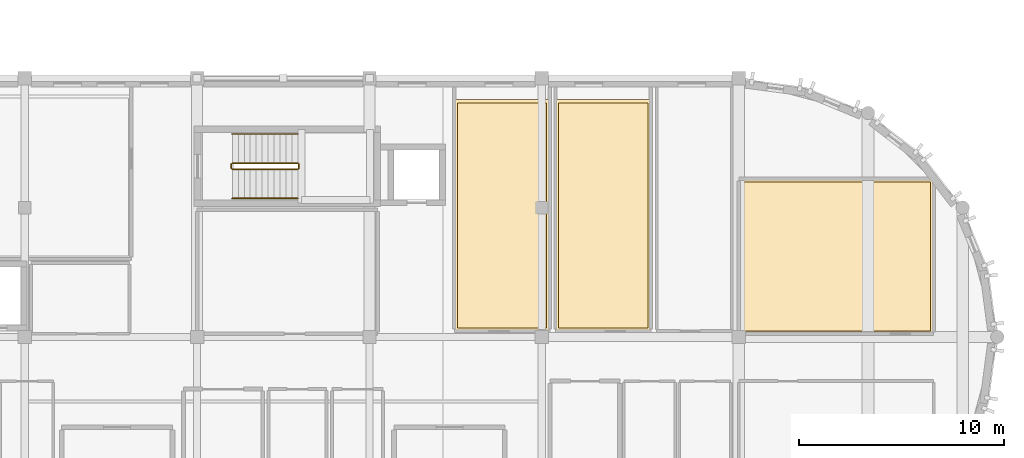
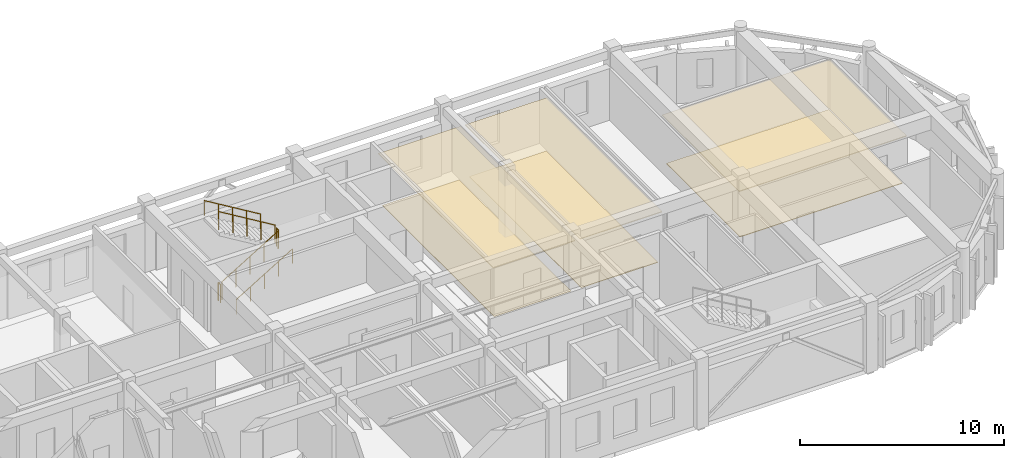
# One storey, part 28 of 29: 6 coverings, 6 railings.
"""IFC4 building model written with IfcOpenShell, lengths in metres."""

from ifc_helpers import new_model, si_unit, direction, frame, origin, origin_2d, place, context, subcontext, project, spatial, polyline, circle, outline, extrude, material, layer, layer_set, type_object, element, save


model = new_model("IFC4")

# Units and contexts
model_context = context("Model", 3, precision=1e-05, world=origin(), true_north=direction((0.0, 1.0)))
body_context = subcontext(model_context, "Body", "Model", "MODEL_VIEW")
ifc_project = project(units=[si_unit("LENGTHUNIT", "METRE"), si_unit("AREAUNIT", "SQUARE_METRE"), si_unit("VOLUMEUNIT", "CUBIC_METRE"), si_unit("PLANEANGLEUNIT", "RADIAN"), si_unit("MASSUNIT", "GRAM", prefix="KILO")], contexts=[model_context])

# Site, building, storey
site_placement = place(None, origin())
site = spatial("IfcSite", under=ifc_project, at=site_placement, CompositionType="ELEMENT")
building_placement = place(site_placement, origin())
building = spatial("IfcBuilding", under=site, at=building_placement, Name="Tarnavel Promenade Courthouse", CompositionType="ELEMENT")
storey_placement = place(building_placement, frame((0.0, 0.0, 22.800048828125)))
storey = spatial("IfcBuildingStorey", under=building, at=storey_placement, Name="L06", CompositionType="ELEMENT", Elevation=22.800048828125)

# Railings
ifc_material_1 = material(Name="Brushed Bronze Tubular Stair Handrail")
railing_type_1 = type_object("IfcRailingType", Name="Brushed Bronze Tubular Stair Handrail (RL-HND-0900)", PredefinedType="HANDRAIL", material=ifc_material_1)
railing_1_placement = place(storey_placement, frame((77.320068359375, 98.550048828125, 0.175048828125)))
element("IfcRailing", 1, at=railing_1_placement, inside=storey, type_object=railing_type_1, Name="L06 ST-03 stair handrail 1", PredefinedType="HANDRAIL", context=body_context, shape_type="SweptSolid", body=[
    extrude(circle(Radius=0.02392578125, at=origin_2d()), frame((0.0, 0.0, 0.8759765625), z_axis=(0.856206652436, 0.0, 0.516633495163), x_axis=(0.0, 1.0, 0.0)), (0.0, 0.0, 1.0), 3.7255859375),
    extrude(circle(Radius=0.02099609375, at=origin_2d()), origin(), (0.0, 0.0, 1.0), 0.851806640625),
    extrude(circle(Radius=0.02099609375, at=origin_2d()), frame((0.79736328125, 0.0, 0.481201171875)), (0.0, 0.0, 1.0), 0.851806640625),
    extrude(circle(Radius=0.02099609375, at=origin_2d()), frame((1.594970703125, 0.0, 0.96240234375)), (0.0, 0.0, 1.0), 0.851806640625),
    extrude(circle(Radius=0.02099609375, at=origin_2d()), frame((2.392578125, 0.0, 1.443603515625)), (0.0, 0.0, 1.0), 0.851806640625),
    extrude(circle(Radius=0.02099609375, at=origin_2d()), frame((3.18994140625, 0.0, 1.9248046875)), (0.0, 0.0, 1.0), 0.851806640625),
])
railing_2_placement = place(storey_placement, frame((80.510009765625, 101.68994140625, 2.27490234375)))
element("IfcRailing", 2, at=railing_2_placement, inside=storey, type_object=railing_type_1, Name="L06 ST-03 stair handrail 2", PredefinedType="HANDRAIL", context=body_context, shape_type="SweptSolid", body=[
    extrude(circle(Radius=0.02392578125, at=origin_2d()), frame((0.0, 0.0, 0.8759765625), z_axis=(-0.856177665481, 0.0, 0.516681531633), x_axis=(0.0, -1.0, 0.0)), (0.0, 0.0, 1.0), 3.725830078125),
    extrude(circle(Radius=0.02099609375, at=origin_2d()), origin(), (0.0, 0.0, 1.0), 0.851806640625),
    extrude(circle(Radius=0.02099609375, at=origin_2d()), frame((-0.79736328125, 0.0, 0.481201171875)), (0.0, 0.0, 1.0), 0.851806640625),
    extrude(circle(Radius=0.02099609375, at=origin_2d()), frame((-1.594970703125, 0.0, 0.96240234375)), (0.0, 0.0, 1.0), 0.851806640625),
    extrude(circle(Radius=0.02099609375, at=origin_2d()), frame((-2.392578125, 0.0, 1.44384765625)), (0.0, 0.0, 1.0), 0.851806640625),
    extrude(circle(Radius=0.02099609375, at=origin_2d()), frame((-3.18994140625, 0.0, 1.925048828125)), (0.0, 0.0, 1.0), 0.851806640625),
])

# Coverings
ifc_material_2 = material(Name="Engineered Smoked Oak Courtroom & Chambers Parquet")
ifc_layer_1 = layer(ifc_material_2, 0.031982421875)
ifc_layer_set_1 = layer_set([ifc_layer_1], Name="Engineered Smoked Oak Courtroom & Chambers Parquet")
covering_type_1 = type_object("IfcCoveringType", Name="Engineered Smoked Oak Courtroom & Chambers Parquet (COV-FLR-OAK-32)", PredefinedType="FLOORING", material=ifc_layer_set_1)
covering_1_placement = place(storey_placement, origin())
element("IfcCovering", 3, at=covering_1_placement, inside=storey, type_object=covering_type_1, Name="L06 Judges' Chambers L06 Suite B Architectural Flooring 0044", PredefinedType="FLOORING", context=body_context, shape_type="SweptSolid", body=[
    extrude(outline(polyline([(88.2900390625, 92.239990234375), (92.638916015625, 92.239990234375), (92.638916015625, 103.2099609375), (88.2900390625, 103.2099609375), (88.2900390625, 92.239990234375)])), origin(), (0.0, 0.0, 1.0), 0.031982421875),
])
covering_2_placement = place(storey_placement, origin())
element("IfcCovering", 4, at=covering_2_placement, inside=storey, type_object=covering_type_1, Name="L06 Judges' Chambers L06 Suite C Architectural Flooring 0045", PredefinedType="FLOORING", context=body_context, shape_type="SweptSolid", body=[
    extrude(outline(polyline([(93.218994140625, 92.239990234375), (97.568115234375, 92.239990234375), (97.568115234375, 103.2099609375), (93.218994140625, 103.2099609375), (93.218994140625, 92.239990234375)])), origin(), (0.0, 0.0, 1.0), 0.031982421875),
])
covering_3_placement = place(storey_placement, origin())
element("IfcCovering", 5, at=covering_3_placement, inside=storey, type_object=covering_type_1, Name="L06 L06 East Drum Rotunda Chambers North Architectural Flooring 0047", PredefinedType="FLOORING", context=body_context, shape_type="SweptSolid", body=[
    extrude(outline(polyline([(102.14990234375, 92.10009765625), (111.35009765625, 92.10009765625), (111.35009765625, 99.35009765625), (102.14990234375, 99.35009765625), (102.14990234375, 92.10009765625)])), origin(), (0.0, 0.0, 1.0), 0.031982421875),
])
ifc_material_3 = material(Name="Micro-Perforated Acoustic Mineral-Fibre Ceiling")
ifc_layer_2 = layer(ifc_material_3, 0.044921875)
ifc_layer_set_2 = layer_set([ifc_layer_2], Name="Micro-Perforated Acoustic Mineral-Fibre Ceiling")
covering_type_2 = type_object("IfcCoveringType", Name="Micro-Perforated Acoustic Mineral-Fibre Ceiling (COV-CLG-MIN-45)", PredefinedType="CEILING", material=ifc_layer_set_2)
covering_4_placement = place(storey_placement, frame((0.0, 0.0, 3.054931640625)))
element("IfcCovering", 6, at=covering_4_placement, inside=storey, type_object=covering_type_2, Name="L06 Judges' Chambers L06 Suite B Acoustic Ceiling 0044", PredefinedType="CEILING", context=body_context, shape_type="SweptSolid", body=[
    extrude(outline(polyline([(88.139892578125, 92.090087890625), (92.7890625, 92.090087890625), (92.7890625, 103.360107421875), (88.139892578125, 103.360107421875), (88.139892578125, 92.090087890625)])), origin(), (0.0, 0.0, 1.0), 0.044921875),
])
covering_5_placement = place(storey_placement, frame((0.0, 0.0, 3.054931640625)))
element("IfcCovering", 7, at=covering_5_placement, inside=storey, type_object=covering_type_2, Name="L06 Judges' Chambers L06 Suite C Acoustic Ceiling 0045", PredefinedType="CEILING", context=body_context, shape_type="SweptSolid", body=[
    extrude(outline(polyline([(93.069091796875, 92.090087890625), (97.718017578125, 92.090087890625), (97.718017578125, 103.360107421875), (93.069091796875, 103.360107421875), (93.069091796875, 92.090087890625)])), origin(), (0.0, 0.0, 1.0), 0.044921875),
])
covering_6_placement = place(storey_placement, frame((0.0, 0.0, 2.85498046875)))
element("IfcCovering", 8, at=covering_6_placement, inside=storey, type_object=covering_type_2, Name="L06 L06 East Drum Rotunda Chambers North Acoustic Ceiling 0047", PredefinedType="CEILING", context=body_context, shape_type="SweptSolid", body=[
    extrude(outline(polyline([(102.0, 91.949951171875), (111.5, 91.949951171875), (111.5, 99.5), (102.0, 99.5), (102.0, 91.949951171875)])), origin(), (0.0, 0.0, 1.0), 0.044921875),
])

# Railings
ifc_material_4 = material(Name="Painted Architectural Steel Core Stair Guardrail", Category="steel")
railing_type_2 = type_object("IfcRailingType", Name="Painted Architectural Steel Core Stair Guardrail (RL-GRD-1100)", PredefinedType="GUARDRAIL", material=ifc_material_4)
railing_3_placement = place(storey_placement, frame((77.320068359375, 99.969970703125, 0.175048828125)))
element("IfcRailing", 9, at=railing_3_placement, inside=storey, type_object=railing_type_2, Name="L06 ST-03 stair guard 1", PredefinedType="GUARDRAIL", context=body_context, shape_type="SweptSolid", body=[
    extrude(circle(Radius=0.02392578125, at=origin_2d()), frame((0.0, 0.0, 1.076171875), z_axis=(0.856206652436, 0.0, 0.516633495163), x_axis=(0.0, 1.0, 0.0)), (0.0, 0.0, 1.0), 3.7255859375),
    extrude(circle(Radius=0.02099609375, at=origin_2d()), origin(), (0.0, 0.0, 1.0), 1.052001953125),
    extrude(circle(Radius=0.02099609375, at=origin_2d()), frame((0.79736328125, 0.0, 0.481201171875)), (0.0, 0.0, 1.0), 1.052001953125),
    extrude(circle(Radius=0.02099609375, at=origin_2d()), frame((1.594970703125, 0.0, 0.96240234375)), (0.0, 0.0, 1.0), 1.052001953125),
    extrude(circle(Radius=0.02099609375, at=origin_2d()), frame((2.392578125, 0.0, 1.443603515625)), (0.0, 0.0, 1.0), 1.052001953125),
    extrude(circle(Radius=0.02099609375, at=origin_2d()), frame((3.18994140625, 0.0, 1.9248046875)), (0.0, 0.0, 1.0), 1.052001953125),
])
railing_4_placement = place(storey_placement, frame((80.56005859375, 100.02001953125, 2.099853515625)))
element("IfcRailing", 10, at=railing_4_placement, inside=storey, type_object=railing_type_2, Name="L06 ST-03 stair guard 2", PredefinedType="GUARDRAIL", context=body_context, shape_type="SweptSolid", body=[
    extrude(circle(Radius=0.02392578125, at=origin_2d()), frame((0.0, 0.0, 1.076171875), z_axis=(0.0, 1.0, 0.0), x_axis=(-1.0, 0.0, 0.0)), (0.0, 0.0, 1.0), 0.199951171875),
    extrude(circle(Radius=0.02099609375, at=origin_2d()), origin(), (0.0, 0.0, 1.0), 1.052001953125),
    extrude(circle(Radius=0.02099609375, at=origin_2d()), frame((0.0, 0.199951171875, 0.0)), (0.0, 0.0, 1.0), 1.052001953125),
])
railing_5_placement = place(storey_placement, frame((80.510009765625, 100.27001953125, 2.27490234375)))
element("IfcRailing", 11, at=railing_5_placement, inside=storey, type_object=railing_type_2, Name="L06 ST-03 stair guard 3", PredefinedType="GUARDRAIL", context=body_context, shape_type="SweptSolid", body=[
    extrude(circle(Radius=0.02392578125, at=origin_2d()), frame((0.0, 0.0, 1.076171875), z_axis=(-0.856177665481, 0.0, 0.516681531633), x_axis=(0.0, -1.0, 0.0)), (0.0, 0.0, 1.0), 3.725830078125),
    extrude(circle(Radius=0.02099609375, at=origin_2d()), origin(), (0.0, 0.0, 1.0), 1.052001953125),
    extrude(circle(Radius=0.02099609375, at=origin_2d()), frame((-0.79736328125, 0.0, 0.481201171875)), (0.0, 0.0, 1.0), 1.052001953125),
    extrude(circle(Radius=0.02099609375, at=origin_2d()), frame((-1.594970703125, 0.0, 0.96240234375)), (0.0, 0.0, 1.0), 1.052001953125),
    extrude(circle(Radius=0.02099609375, at=origin_2d()), frame((-2.392578125, 0.0, 1.44384765625)), (0.0, 0.0, 1.0), 1.052001953125),
    extrude(circle(Radius=0.02099609375, at=origin_2d()), frame((-3.18994140625, 0.0, 1.925048828125)), (0.0, 0.0, 1.0), 1.052001953125),
])
railing_6_placement = place(storey_placement, frame((77.27001953125, 100.02001953125, 0.0)))
element("IfcRailing", 12, at=railing_6_placement, inside=storey, type_object=railing_type_2, Name="L06 ST-03 stair guard 4", PredefinedType="GUARDRAIL", context=body_context, shape_type="SweptSolid", body=[
    extrude(circle(Radius=0.02392578125, at=origin_2d()), frame((0.0, 0.0, 1.076171875), z_axis=(0.0, 1.0, 0.0), x_axis=(-1.0, 0.0, 0.0)), (0.0, 0.0, 1.0), 0.199951171875),
    extrude(circle(Radius=0.02099609375, at=origin_2d()), origin(), (0.0, 0.0, 1.0), 1.052001953125),
    extrude(circle(Radius=0.02099609375, at=origin_2d()), frame((0.0, 0.199951171875, 0.0)), (0.0, 0.0, 1.0), 1.052001953125),
])

save(model, "model.ifc")
